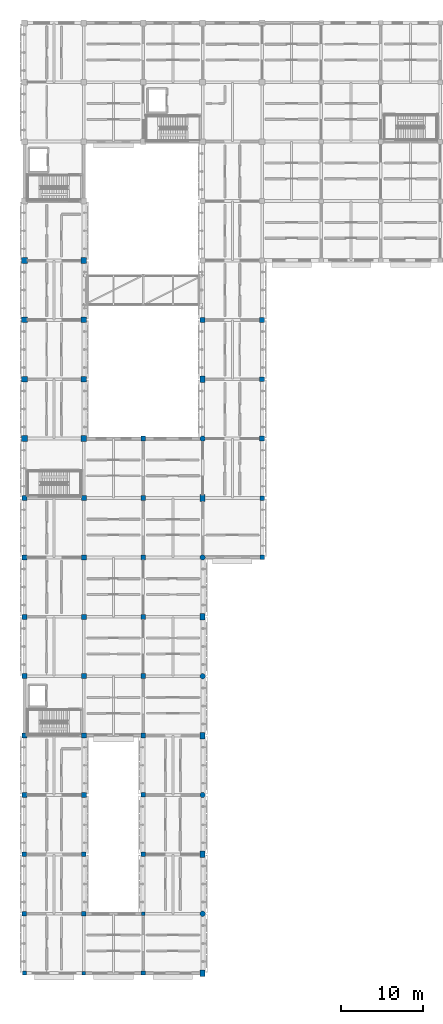
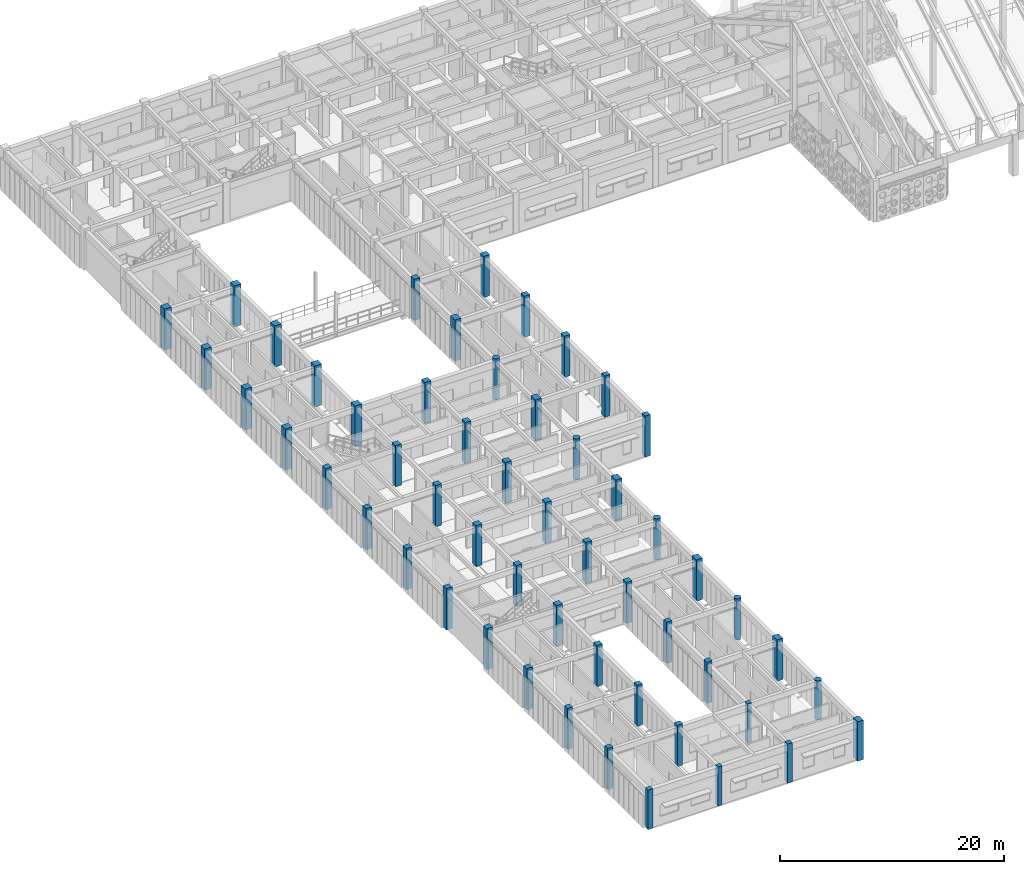
# One storey, part 1 of 171: 53 columns.
"""IFC4 building model written with IfcOpenShell, lengths in metres."""

from ifc_helpers import new_model, si_unit, direction, frame, origin, origin_2d, place, context, subcontext, project, spatial, rectangle, circle, extrude, material, material_profile, profile_set, type_object, element, save


model = new_model("IFC4")

# Units and contexts
model_context = context("Model", 3, precision=1e-05, world=origin(), true_north=direction((0.0, 1.0)))
body_context = subcontext(model_context, "Body", "Model", "MODEL_VIEW")
ifc_project = project(units=[si_unit("LENGTHUNIT", "METRE"), si_unit("AREAUNIT", "SQUARE_METRE"), si_unit("VOLUMEUNIT", "CUBIC_METRE"), si_unit("PLANEANGLEUNIT", "RADIAN"), si_unit("MASSUNIT", "GRAM", prefix="KILO")], contexts=[model_context])

# Site, building, storey
site_placement = place(None, origin())
site = spatial("IfcSite", under=ifc_project, at=site_placement, CompositionType="ELEMENT")
building_placement = place(site_placement, origin())
building = spatial("IfcBuilding", under=site, at=building_placement, Name="Aldebral Square Health Centre", CompositionType="ELEMENT")
storey_placement = place(building_placement, frame((0.0, 0.0, 4.5)))
storey = spatial("IfcBuildingStorey", under=building, at=storey_placement, Name="L01", CompositionType="ELEMENT", Elevation=4.5)

# Columns
ifc_material = material(Name="Concrete C40/50", Category="concrete")
ifc_material_profile_1 = material_profile(ifc_material, rectangle(XDim=0.699951171875, YDim=0.699951171875, at=origin_2d()), Name="RC 700x700")
ifc_profile_set_1 = profile_set([ifc_material_profile_1], Name="Concrete C40/50")
column_type_1 = type_object("IfcColumnType", Name="COL-C1", PredefinedType="COLUMN", material=ifc_profile_set_1)
for number, where, z_axis, x_axis, name in (
    (1, (0.0, 64.800048828125, 0.0), (0.0, 0.0, 1.0), (1.0, 0.0, 0.0), "L01 column 1/10"),
    (2, (0.0, 72.0, 0.0), (0.0, 0.0, 1.0), (1.0, 0.0, 0.0), "L01 column 1/11"),
    (3, (0.0, 79.199951171875, 0.0), (0.0, 0.0, 1.0), (1.0, 0.0, 0.0), "L01 column 1/12"),
    (4, (0.0, 86.39990234375, 0.0), (0.0, 0.0, 1.0), (1.0, 0.0, 0.0), "L01 column 1/13"),
    (5, (7.199951171875, 64.800048828125, 0.0), (0.0, 0.0, 1.0), (1.0, 0.0, 0.0), "L01 column 2/10"),
    (6, (7.199951171875, 72.0, 0.0), (0.0, 0.0, 1.0), (1.0, 0.0, 0.0), "L01 column 2/11"),
    (7, (7.199951171875, 79.199951171875, 0.0), (0.0, 0.0, 1.0), (1.0, 0.0, 0.0), "L01 column 2/12"),
    (8, (7.199951171875, 86.39990234375, 0.0), (0.0, 0.0, 1.0), (1.0, 0.0, 0.0), "L01 column 2/13"),
):
    element("IfcColumn", number, at=place(storey_placement, frame(where, z_axis=z_axis, x_axis=x_axis)), inside=storey, type_object=column_type_1, Name=name, PredefinedType="COLUMN", context=body_context, shape_type="SweptSolid", body=[
        extrude(rectangle(XDim=0.699951171875, YDim=0.699951171875, at=origin_2d()), origin(), (0.0, 0.0, 1.0), 4.5),
    ])
ifc_material_profile_2 = material_profile(ifc_material, rectangle(XDim=0.60009765625, YDim=0.60009765625, at=origin_2d()), Name="RC 600x600")
ifc_profile_set_2 = profile_set([ifc_material_profile_2], Name="Concrete C40/50")
column_type_2 = type_object("IfcColumnType", Name="COL-C3", PredefinedType="COLUMN", material=ifc_profile_set_2)
for number, where, z_axis, x_axis, name in (
    (9, (0.0, 21.60009765625, 0.0), (0.0, 0.0, 1.0), (1.0, 0.0, 0.0), "L01 column 1/4"),
    (10, (0.0, 28.800048828125, 0.0), (0.0, 0.0, 1.0), (1.0, 0.0, 0.0), "L01 column 1/5"),
    (11, (0.0, 36.0, 0.0), (0.0, 0.0, 1.0), (1.0, 0.0, 0.0), "L01 column 1/6"),
    (12, (0.0, 43.199951171875, 0.0), (0.0, 0.0, 1.0), (1.0, 0.0, 0.0), "L01 column 1/7"),
    (13, (0.0, 50.39990234375, 0.0), (0.0, 0.0, 1.0), (1.0, 0.0, 0.0), "L01 column 1/8"),
    (14, (0.0, 57.60009765625, 0.0), (0.0, 0.0, 1.0), (1.0, 0.0, 0.0), "L01 column 1/9"),
    (15, (7.199951171875, 21.60009765625, 0.0), (0.0, 0.0, 1.0), (1.0, 0.0, 0.0), "L01 column 2/4"),
    (16, (7.199951171875, 28.800048828125, 0.0), (0.0, 0.0, 1.0), (1.0, 0.0, 0.0), "L01 column 2/5"),
    (17, (7.199951171875, 36.0, 0.0), (0.0, 0.0, 1.0), (1.0, 0.0, 0.0), "L01 column 2/6"),
    (18, (7.199951171875, 43.199951171875, 0.0), (0.0, 0.0, 1.0), (1.0, 0.0, 0.0), "L01 column 2/7"),
    (19, (7.199951171875, 50.39990234375, 0.0), (0.0, 0.0, 1.0), (1.0, 0.0, 0.0), "L01 column 2/8"),
    (20, (7.199951171875, 57.60009765625, 0.0), (0.0, 0.0, 1.0), (1.0, 0.0, 0.0), "L01 column 2/9"),
    (21, (14.39990234375, 28.800048828125, 0.0), (0.0, 0.0, 1.0), (1.0, 0.0, 0.0), "L01 column 3/5"),
    (22, (14.39990234375, 36.0, 0.0), (0.0, 0.0, 1.0), (1.0, 0.0, 0.0), "L01 column 3/6"),
    (23, (14.39990234375, 43.199951171875, 0.0), (0.0, 0.0, 1.0), (1.0, 0.0, 0.0), "L01 column 3/7"),
    (24, (14.39990234375, 50.39990234375, 0.0), (0.0, 0.0, 1.0), (1.0, 0.0, 0.0), "L01 column 3/8"),
    (25, (14.39990234375, 57.60009765625, 0.0), (0.0, 0.0, 1.0), (1.0, 0.0, 0.0), "L01 column 3/9"),
    (26, (14.39990234375, 64.800048828125, 0.0), (0.0, 0.0, 1.0), (1.0, 0.0, 0.0), "L01 column 3/10"),
    (27, (21.60009765625, 79.199951171875, 0.0), (0.0, 0.0, 1.0), (1.0, 0.0, 0.0), "L01 column 4/12"),
    (28, (28.800048828125, 64.800048828125, 0.0), (0.0, 0.0, 1.0), (1.0, 0.0, 0.0), "L01 column 5/10"),
    (29, (28.800048828125, 72.0, 0.0), (0.0, 0.0, 1.0), (1.0, 0.0, 0.0), "L01 column 5/11"),
    (30, (28.800048828125, 79.199951171875, 0.0), (0.0, 0.0, 1.0), (1.0, 0.0, 0.0), "L01 column 5/12"),
):
    element("IfcColumn", number, at=place(storey_placement, frame(where, z_axis=z_axis, x_axis=x_axis)), inside=storey, type_object=column_type_2, Name=name, PredefinedType="COLUMN", context=body_context, shape_type="SweptSolid", body=[
        extrude(rectangle(XDim=0.60009765625, YDim=0.60009765625, at=origin_2d()), origin(), (0.0, 0.0, 1.0), 4.5),
    ])
ifc_material_profile_3 = material_profile(ifc_material, rectangle(XDim=0.550048828125, YDim=0.550048828125, at=origin_2d()), Name="RC 550x550")
ifc_profile_set_3 = profile_set([ifc_material_profile_3], Name="Concrete C40/50")
column_type_3 = type_object("IfcColumnType", Name="COL-C4", PredefinedType="COLUMN", material=ifc_profile_set_3)
for number, where, z_axis, x_axis, name in (
    (31, (0.0, 7.199951171875, 0.0), (0.0, 0.0, 1.0), (1.0, 0.0, 0.0), "L01 column 1/2"),
    (32, (0.0, 14.39990234375, 0.0), (0.0, 0.0, 1.0), (1.0, 0.0, 0.0), "L01 column 1/3"),
    (33, (7.199951171875, 7.199951171875, 0.0), (0.0, 0.0, 1.0), (1.0, 0.0, 0.0), "L01 column 2/2"),
    (34, (7.199951171875, 14.39990234375, 0.0), (0.0, 0.0, 1.0), (1.0, 0.0, 0.0), "L01 column 2/3"),
    (35, (14.39990234375, 14.39990234375, 0.0), (0.0, 0.0, 1.0), (1.0, 0.0, 0.0), "L01 column 3/3"),
    (36, (14.39990234375, 21.60009765625, 0.0), (0.0, 0.0, 1.0), (1.0, 0.0, 0.0), "L01 column 3/4"),
    (37, (28.800048828125, 50.39990234375, 0.0), (0.0, 0.0, 1.0), (1.0, 0.0, 0.0), "L01 column 5/8"),
    (38, (28.800048828125, 57.60009765625, 0.0), (0.0, 0.0, 1.0), (1.0, 0.0, 0.0), "L01 column 5/9"),
):
    element("IfcColumn", number, at=place(storey_placement, frame(where, z_axis=z_axis, x_axis=x_axis)), inside=storey, type_object=column_type_3, Name=name, PredefinedType="COLUMN", context=body_context, shape_type="SweptSolid", body=[
        extrude(rectangle(XDim=0.550048828125, YDim=0.550048828125, at=origin_2d()), origin(), (0.0, 0.0, 1.0), 4.5),
    ])
ifc_material_profile_4 = material_profile(ifc_material, rectangle(XDim=0.5, YDim=0.5, at=origin_2d()), Name="RC 500x500")
ifc_profile_set_4 = profile_set([ifc_material_profile_4], Name="Concrete C40/50")
column_type_4 = type_object("IfcColumnType", Name="COL-C5", PredefinedType="COLUMN", material=ifc_profile_set_4)
for number, where, z_axis, x_axis, name in (
    (39, (0.0, 0.0, 0.0), (0.0, 0.0, 1.0), (1.0, 0.0, 0.0), "L01 column 1/1"),
    (40, (14.39990234375, 0.0, 0.0), (0.0, 0.0, 1.0), (1.0, 0.0, 0.0), "L01 column 3/1"),
):
    element("IfcColumn", number, at=place(storey_placement, frame(where, z_axis=z_axis, x_axis=x_axis)), inside=storey, type_object=column_type_4, Name=name, PredefinedType="COLUMN", context=body_context, shape_type="SweptSolid", body=[
        extrude(rectangle(XDim=0.5, YDim=0.5, at=origin_2d()), origin(), (0.0, 0.0, 1.0), 4.280029296875),
    ])
ifc_material_profile_5 = material_profile(ifc_material, rectangle(XDim=0.449951171875, YDim=0.449951171875, at=origin_2d()), Name="RC 450x450")
ifc_profile_set_5 = profile_set([ifc_material_profile_5], Name="Concrete C40/50")
column_type_5 = type_object("IfcColumnType", Name="COL-C6", PredefinedType="COLUMN", material=ifc_profile_set_5)
for number, where, z_axis, x_axis, name in (
    (41, (7.199951171875, 0.0, 0.0), (0.0, 0.0, 1.0), (1.0, 0.0, 0.0), "L01 column 2/1"),
    (42, (14.39990234375, 7.199951171875, 0.0), (0.0, 0.0, 1.0), (1.0, 0.0, 0.0), "L01 column 3/2"),
):
    element("IfcColumn", number, at=place(storey_placement, frame(where, z_axis=z_axis, x_axis=x_axis)), inside=storey, type_object=column_type_5, Name=name, PredefinedType="COLUMN", context=body_context, shape_type="SweptSolid", body=[
        extrude(rectangle(XDim=0.449951171875, YDim=0.449951171875, at=origin_2d()), origin(), (0.0, 0.0, 1.0), 4.280029296875),
    ])
ifc_material_profile_6 = material_profile(ifc_material, rectangle(XDim=0.60009765625, YDim=0.800048828125, at=origin_2d()), Name="RC 600x800")
ifc_profile_set_6 = profile_set([ifc_material_profile_6], Name="Concrete C40/50")
column_type_6 = type_object("IfcColumnType", Name="COL-C7", PredefinedType="PILASTER", material=ifc_profile_set_6)
column_1_placement = place(storey_placement, frame((21.60009765625, 0.0, 0.0), z_axis=(0.0, 0.0, 1.0), x_axis=(1.0, 0.0, 0.0)))
element("IfcColumn", 43, at=column_1_placement, inside=storey, type_object=column_type_6, Name="L01 column 4/1", PredefinedType="PILASTER", context=body_context, shape_type="SweptSolid", body=[
    extrude(rectangle(XDim=0.60009765625, YDim=0.800048828125, at=origin_2d()), origin(), (0.0, 0.0, 1.0), 4.280029296875),
])
for number, where, z_axis, x_axis, name in (
    (44, (21.60009765625, 14.39990234375, 0.0), (0.0, 0.0, 1.0), (1.0, 0.0, 0.0), "L01 column 4/3"),
    (45, (21.60009765625, 28.800048828125, 0.0), (0.0, 0.0, 1.0), (1.0, 0.0, 0.0), "L01 column 4/5"),
    (46, (21.60009765625, 43.199951171875, 0.0), (0.0, 0.0, 1.0), (1.0, 0.0, 0.0), "L01 column 4/7"),
    (47, (21.60009765625, 57.60009765625, 0.0), (0.0, 0.0, 1.0), (1.0, 0.0, 0.0), "L01 column 4/9"),
    (48, (21.60009765625, 72.0, 0.0), (0.0, 0.0, 1.0), (1.0, 0.0, 0.0), "L01 column 4/11"),
):
    element("IfcColumn", number, at=place(storey_placement, frame(where, z_axis=z_axis, x_axis=x_axis)), inside=storey, type_object=column_type_6, Name=name, PredefinedType="PILASTER", context=body_context, shape_type="SweptSolid", body=[
        extrude(rectangle(XDim=0.60009765625, YDim=0.800048828125, at=origin_2d()), origin(), (0.0, 0.0, 1.0), 4.5),
    ])
ifc_material_profile_7 = material_profile(ifc_material, circle(Radius=0.324951171875, at=origin_2d()), Name="RC D650")
ifc_profile_set_7 = profile_set([ifc_material_profile_7], Name="Concrete C40/50")
column_type_7 = type_object("IfcColumnType", Name="COL-C8", PredefinedType="COLUMN", material=ifc_profile_set_7)
column_2_placement = place(storey_placement, frame((21.60009765625, 7.199951171875, 0.0), z_axis=(0.0, 0.0, 1.0), x_axis=(1.0, 0.0, 0.0)))
element("IfcColumn", 49, at=column_2_placement, inside=storey, type_object=column_type_7, Name="L01 column 4/2", PredefinedType="COLUMN", context=body_context, shape_type="SweptSolid", body=[
    extrude(circle(Radius=0.324951171875, at=origin_2d()), origin(), (0.0, 0.0, 1.0), 4.280029296875),
])
for number, where, z_axis, x_axis, name in (
    (50, (21.60009765625, 21.60009765625, 0.0), (0.0, 0.0, 1.0), (1.0, 0.0, 0.0), "L01 column 4/4"),
    (51, (21.60009765625, 36.0, 0.0), (0.0, 0.0, 1.0), (1.0, 0.0, 0.0), "L01 column 4/6"),
    (52, (21.60009765625, 50.39990234375, 0.0), (0.0, 0.0, 1.0), (1.0, 0.0, 0.0), "L01 column 4/8"),
    (53, (21.60009765625, 64.800048828125, 0.0), (0.0, 0.0, 1.0), (1.0, 0.0, 0.0), "L01 column 4/10"),
):
    element("IfcColumn", number, at=place(storey_placement, frame(where, z_axis=z_axis, x_axis=x_axis)), inside=storey, type_object=column_type_7, Name=name, PredefinedType="COLUMN", context=body_context, shape_type="SweptSolid", body=[
        extrude(circle(Radius=0.324951171875, at=origin_2d()), origin(), (0.0, 0.0, 1.0), 4.5),
    ])

save(model, "model.ifc")
